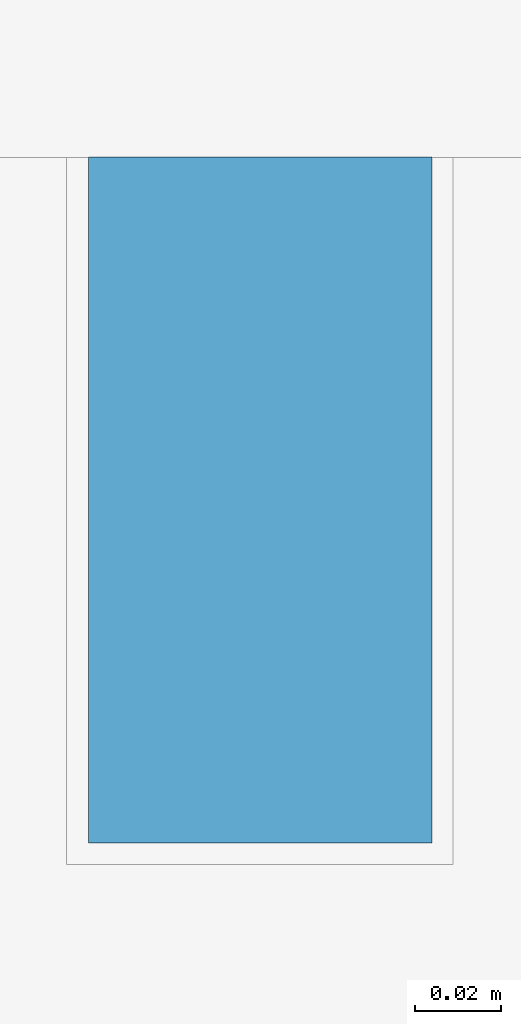
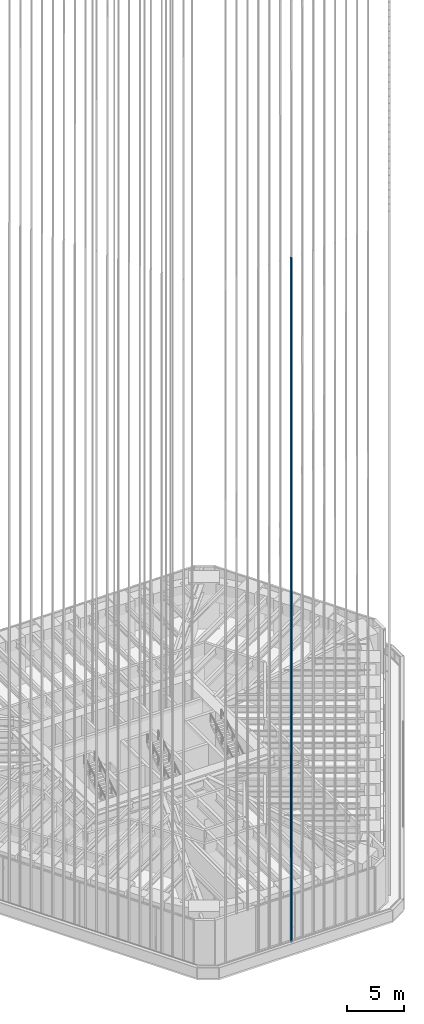
# One storey, part 35 of 228: 1 member, 1 element without a shape of its own.
"""IFC4 building model written with IfcOpenShell, lengths in metres."""

import ifcopenshell
import ifcopenshell.guid

model = None  # the IFC model being written
_history = None  # IfcOwnerHistory: only IFC2X3 demands one
_inside = {}  # id of a spatial element -> (the spatial element, [elements in it])
_under = {}  # id of a project, library or spatial element -> (it, [spatial elements below it])
_declared = {}  # id of a project -> (the project, [libraries it declares])
_typed = {}  # id of a type object -> (the type object, [elements of that type])
_made_of = {}  # id of a material, layer set ... -> (it, [elements and type objects made of it])


def new_model(schema):
    """Start an empty IFC model of exactly this schema.

    Asked for "IFC4X3", IfcOpenShell would pick the latest addendum, in which some entities
    have other attributes; the version numbers below select the first issue.
    IFC2X3 requires an IfcOwnerHistory on every rooted entity: one is made here for all.
    """
    global model, _history
    if schema == "IFC4X3":
        model = ifcopenshell.file(schema_version=(4, 3, 0, 0))
    else:
        model = ifcopenshell.file(schema=schema)
    _inside.clear()
    _under.clear()
    _declared.clear()
    _typed.clear()
    _made_of.clear()
    _history = None
    if model.schema == "IFC2X3":
        org = make("IfcOrganization", Name="unknown")
        user = make(
            "IfcPersonAndOrganization",
            ThePerson=make("IfcPerson", FamilyName="unknown"),
            TheOrganization=org,
        )
        app = make(
            "IfcApplication",
            ApplicationDeveloper=org,
            Version="unknown",
            ApplicationFullName="unknown",
            ApplicationIdentifier="unknown",
        )
        _history = make(
            "IfcOwnerHistory",
            OwningUser=user,
            OwningApplication=app,
            ChangeAction="ADDED",
            CreationDate=0,
        )
    return model


def make(cls, **values):
    """One entity of the class cls with the attributes given. An attribute that is None is left unset."""
    return model.create_entity(
        cls, **{name: value for name, value in values.items() if value is not None}
    )


def rooted(cls, **values):
    """An entity with a GlobalId (a new one), such as an element, a storey or a relation."""
    return make(cls, GlobalId=ifcopenshell.guid.new(), OwnerHistory=_history, **values)


def si_unit(unit_type, name, prefix=None):
    """IfcSIUnit, for example si_unit("LENGTHUNIT", "METRE", prefix="MILLI")."""
    return make("IfcSIUnit", UnitType=unit_type, Prefix=prefix, Name=name)


def assignment(units):
    """IfcUnitAssignment: the units of a project."""
    return None if units is None else make("IfcUnitAssignment", Units=units)


def point(xyz):
    """IfcCartesianPoint."""
    return None if xyz is None else make("IfcCartesianPoint", Coordinates=xyz)


def direction(xyz):
    """IfcDirection."""
    return None if xyz is None else make("IfcDirection", DirectionRatios=xyz)


def frame(location, z_axis=None, x_axis=None):
    """IfcAxis2Placement3D, a coordinate frame: its origin and axes. An axis left out is left unset."""
    return make(
        "IfcAxis2Placement3D",
        Location=point(location),
        Axis=direction(z_axis),
        RefDirection=direction(x_axis),
    )


def frame_2d(location, x_axis=None):
    """IfcAxis2Placement2D, a coordinate frame in the plane: its origin and x axis."""
    return make(
        "IfcAxis2Placement2D", Location=point(location), RefDirection=direction(x_axis)
    )


def origin():
    """The frame at (0, 0, 0) with its axes left unset."""
    return frame((0.0, 0.0, 0.0))


def origin_2d():
    """The frame at (0, 0) in the plane with its x axis left unset."""
    return frame_2d((0.0, 0.0))


def place(relative_to, where):
    """IfcLocalPlacement: puts the frame where relative to a parent placement (None: the world)."""
    return make(
        "IfcLocalPlacement", PlacementRelTo=relative_to, RelativePlacement=where
    )


def context(
    kind, dimensions, precision=None, world=None, true_north=None, identifier=None
):
    """IfcGeometricRepresentationContext, for example the 3D "Model" context."""
    return make(
        "IfcGeometricRepresentationContext",
        ContextIdentifier=identifier,
        ContextType=kind,
        CoordinateSpaceDimension=dimensions,
        Precision=precision,
        WorldCoordinateSystem=world,
        TrueNorth=true_north,
    )


def subcontext(parent, identifier, kind, view, scale=None):
    """IfcGeometricRepresentationSubContext, for example "Body" below "Model"."""
    return make(
        "IfcGeometricRepresentationSubContext",
        ContextIdentifier=identifier,
        ContextType=kind,
        ParentContext=parent,
        TargetScale=scale,
        TargetView=view,
    )


def project(units=None, contexts=None):
    """IfcProject with its units and contexts."""
    return rooted(
        "IfcProject",
        Name="project",
        RepresentationContexts=contexts,
        UnitsInContext=assignment(units),
    )


def spatial(cls, under=None, at=None, **own):
    """A site, building, storey or space (cls), placed at a placement, below another one or the project."""
    s = rooted(cls, ObjectPlacement=at, **own)
    if under is not None:
        _under.setdefault(under.id(), (under, []))[1].append(s)
    return s


def profile(cls, at=None, kind="AREA", **sizes):
    """A parametric profile (cls). Its sizes go by their IFC names, for example OverallWidth=200.0."""
    return make(cls, ProfileType=kind, Position=at, **sizes)


def rectangle(**sizes):
    """IfcRectangleProfileDef."""
    return profile("IfcRectangleProfileDef", **sizes)


def extrude(swept, where, along, depth):
    """IfcExtrudedAreaSolid: the profile swept, set in the frame where, extruded along a direction by depth."""
    return make(
        "IfcExtrudedAreaSolid",
        SweptArea=swept,
        Position=where,
        ExtrudedDirection=direction(along),
        Depth=depth,
    )


def shape(context_of_items, identifier, shape_type, items):
    """IfcShapeRepresentation: the items that make up one representation, for example the "Body"."""
    return make(
        "IfcShapeRepresentation",
        ContextOfItems=context_of_items,
        RepresentationIdentifier=identifier,
        RepresentationType=shape_type,
        Items=items,
    )


def material(Name=None, Category=None):
    """IfcMaterial."""
    return make("IfcMaterial", Name=Name, Category=Category)


def material_profile(
    of_material, cross_section, Name=None, Category=None, Priority=None
):
    """IfcMaterialProfile: a cross section and its material."""
    return make(
        "IfcMaterialProfile",
        Name=Name,
        Material=of_material,
        Profile=cross_section,
        Priority=Priority,
        Category=Category,
    )


def profile_set(profiles, Name=None, composite=None):
    """IfcMaterialProfileSet."""
    return make(
        "IfcMaterialProfileSet",
        Name=Name,
        MaterialProfiles=profiles,
        CompositeProfile=composite,
    )


def made_of(thing, what):
    """Note that an element or type object is made of a material, layer set ...; save() writes the relation."""
    if what is not None:
        _made_of.setdefault(what.id(), (what, []))[1].append(thing)
    return thing


def type_object(cls, material=None, **own):
    """A type object (cls), such as IfcWallType, which elements share."""
    return made_of(rooted(cls, **own), material)


def element(
    cls,
    number,
    at=None,
    inside=None,
    cuts=None,
    type_object=None,
    material=None,
    context=None,
    identifier="Body",
    shape_type=None,
    held_by="IfcProductDefinitionShape",
    body=None,
    shapes=None,
    **own,
):
    """One element of the class cls, such as IfcWall. Its Tag is "e" and its number.

    at: its placement. inside: the storey or other place that contains it. cuts: it is an
    opening in that element (IfcRelVoidsElement). A single representation is given by context,
    identifier, shape_type and body (its items); several are given by shapes. held_by: the class
    of the entity that holds the representations. save() writes the other relations.
    """
    e = rooted(cls, Tag="e%d" % number, ObjectPlacement=at, **own)
    if body is not None:
        shapes = [shape(context, identifier, shape_type, body)]
    if shapes is not None:
        e.Representation = make(held_by, Representations=shapes)
    if inside is not None:
        _inside.setdefault(inside.id(), (inside, []))[1].append(e)
    if cuts is not None:
        rooted(
            "IfcRelVoidsElement", RelatingBuildingElement=cuts, RelatedOpeningElement=e
        )
    if type_object is not None:
        _typed.setdefault(type_object.id(), (type_object, []))[1].append(e)
    return made_of(e, material)


def aggregate(whole, parts):
    """IfcRelAggregates: a whole, such as a stair, and the parts it consists of."""
    return rooted("IfcRelAggregates", RelatingObject=whole, RelatedObjects=parts)


def save(model, path):
    """Write the relations noted so far, then the file.

    IfcRelAggregates (storeys below a building ...), IfcRelContainedInSpatialStructure (elements
    in a storey), IfcRelDefinesByType, IfcRelAssociatesMaterial and IfcRelDeclares: one each for
    every whole, place, type object, material and project.
    """
    for whole, parts in _under.values():
        aggregate(whole, parts)
    for where, things in _inside.values():
        rooted(
            "IfcRelContainedInSpatialStructure",
            RelatedElements=things,
            RelatingStructure=where,
        )
    for kind, things in _typed.values():
        rooted("IfcRelDefinesByType", RelatedObjects=things, RelatingType=kind)
    for what, things in _made_of.values():
        rooted("IfcRelAssociatesMaterial", RelatedObjects=things, RelatingMaterial=what)
    for by, libraries in _declared.values():
        rooted("IfcRelDeclares", RelatingContext=by, RelatedDefinitions=libraries)
    model.write(path)


model = new_model("IFC4")

# Units and contexts
model_context = context("Model", 3, precision=1e-05, world=origin(), true_north=direction((0.0, 1.0)))
body_context = subcontext(model_context, "Body", "Model", "MODEL_VIEW")
ifc_project = project(units=[si_unit("LENGTHUNIT", "METRE"), si_unit("AREAUNIT", "SQUARE_METRE"), si_unit("VOLUMEUNIT", "CUBIC_METRE"), si_unit("PLANEANGLEUNIT", "RADIAN"), si_unit("MASSUNIT", "GRAM", prefix="KILO")], contexts=[model_context])

# Site, building, storey
site_placement = place(None, origin())
site = spatial("IfcSite", under=ifc_project, at=site_placement, CompositionType="ELEMENT")
building_placement = place(site_placement, origin())
building = spatial("IfcBuilding", under=site, at=building_placement, Name="Sandreach Pilgrim Tower", CompositionType="ELEMENT")
storey_placement = place(building_placement, frame((0.0, 0.0, 178.199951171875)))
storey = spatial("IfcBuildingStorey", under=building, at=storey_placement, Name="L44", CompositionType="ELEMENT", Elevation=178.199951171875)

# Curtain wall, member
ifc_material_1 = material(Name="Aluminium framed curtain wall", Category="aluminium")
curtain_wall_type = type_object("IfcCurtainWallType", Name="Upper hotel tower curtain wall", PredefinedType="NOTDEFINED", material=ifc_material_1)
curtain_wall_placement = place(storey_placement, origin())
curtain_wall = element("IfcCurtainWall", 1, at=curtain_wall_placement, inside=storey, type_object=curtain_wall_type, Name="CW-3 L44 SA", PredefinedType="NOTDEFINED")
ifc_material_2 = material(Name="Extruded terracotta on aluminium core", Category="masonry")
ifc_material_profile = material_profile(ifc_material_2, rectangle(XDim=0.080078125, YDim=0.159912109375, at=origin_2d()), Name="TBS 80X160")
ifc_profile_set = profile_set([ifc_material_profile], Name="Extruded terracotta on aluminium core")
member_type = type_object("IfcMemberType", Name="Terracotta baguette south", PredefinedType="USERDEFINED", material=ifc_profile_set)
member_placement = place(storey_placement, frame((-0.554443359375, -26.905029296875, 0.0), z_axis=(0.0, 0.0, 1.0), x_axis=(-1.0, 0.0, 0.0)))
member = element("IfcMember", 2, at=member_placement, type_object=member_type, Name="Baguette Z3 S08", ObjectType="BAGUETTE", PredefinedType="USERDEFINED", context=body_context, shape_type="SweptSolid", body=[
    extrude(rectangle(XDim=0.080078125, YDim=0.159912109375, at=origin_2d()), origin(), (0.0, 0.0, 1.0), 73.239990234375),
])
aggregate(curtain_wall, [member])

save(model, "model.ifc")
